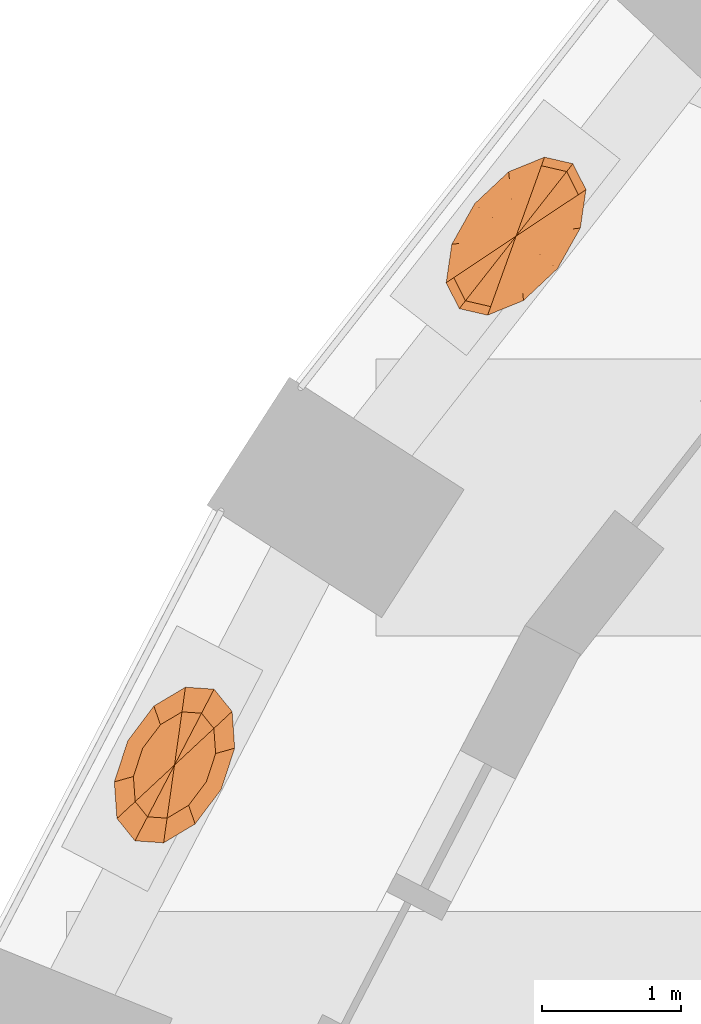
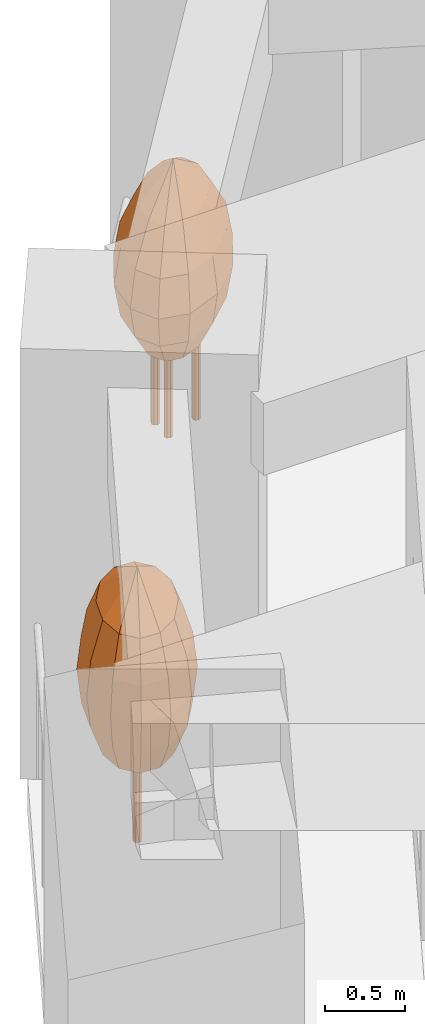
# One storey, part 13 of 13: 2 geographic elements.
"""IFC4 building model written with IfcOpenShell, lengths in metres."""

from ifc_helpers import new_model, si_unit, direction, frame, origin, place, context, subcontext, project, spatial, faceted_brep, material, constituent, constituent_set, type_object, element, save


model = new_model("IFC4")

# Units and contexts
model_context = context("Model", 3, precision=1e-05, world=origin(), true_north=direction((0.0, 1.0)))
body_context = subcontext(model_context, "Body", "Model", "MODEL_VIEW")
ifc_project = project(units=[si_unit("LENGTHUNIT", "METRE"), si_unit("AREAUNIT", "SQUARE_METRE"), si_unit("VOLUMEUNIT", "CUBIC_METRE"), si_unit("PLANEANGLEUNIT", "RADIAN"), si_unit("MASSUNIT", "GRAM", prefix="KILO")], contexts=[model_context])

# Site, building, storey
site_placement = place(None, origin())
site = spatial("IfcSite", under=ifc_project, at=site_placement, CompositionType="ELEMENT")
building_placement = place(site_placement, origin())
building = spatial("IfcBuilding", under=site, at=building_placement, Name="Taillehof Tower", CompositionType="ELEMENT")
storey_placement = place(building_placement, frame((0.0, 0.0, 74.5)))
storey = spatial("IfcBuildingStorey", under=building, at=storey_placement, Name="L20", CompositionType="ELEMENT", Elevation=74.5)

# Geographic elements
ifc_material_1 = material(Name="Tree bark", Category="timber")
ifc_constituent_1 = constituent(ifc_material_1, Name="Trunk", Category="timber")
ifc_material_2 = material(Name="Tree foliage")
ifc_constituent_2 = constituent(ifc_material_2, Name="Crown")
ifc_constituent_set_1 = constituent_set(constituents=[ifc_constituent_1, ifc_constituent_2], Name="Tree TR1 Columnar hornbeam")
geographic_element_type_1 = type_object("IfcGeographicElementType", Name="Tree TR1 Columnar hornbeam", PredefinedType="USERDEFINED", material=ifc_constituent_set_1)
geographic_element_1_placement = place(storey_placement, frame((-25.627685546875, 10.692626953125, 0.75)))
element("IfcGeographicElement", 1, at=geographic_element_1_placement, inside=storey, type_object=geographic_element_type_1, Name="Tree TR1 Columnar hornbeam", ObjectType="TREE", PredefinedType="USERDEFINED", context=body_context, shape_type="Brep", body=[
    faceted_brep([(0.030029296875, 0.0, 0.0), (0.021240234375, 0.021240234375, 0.0), (0.021240234375, 0.021240234375, 1.092529296875), (0.030029296875, 0.0, 1.092529296875), (0.0, 0.030029296875, 0.0), (0.0, 0.030029296875, 1.092529296875), (-0.021240234375, 0.021240234375, 0.0), (-0.021240234375, 0.021240234375, 1.092529296875), (-0.030029296875, 0.0, 0.0), (-0.030029296875, 0.0, 1.092529296875), (-0.021240234375, -0.021240234375, 0.0), (-0.021240234375, -0.021240234375, 1.092529296875), (0.0, -0.030029296875, 0.0), (0.0, -0.030029296875, 1.092529296875), (0.021240234375, -0.021240234375, 0.0), (0.021240234375, -0.021240234375, 1.092529296875)], [[[0, 1, 2, 3]], [[1, 4, 5, 2]], [[4, 6, 7, 5]], [[6, 8, 9, 7]], [[8, 10, 11, 9]], [[10, 12, 13, 11]], [[12, 14, 15, 13]], [[14, 0, 3, 15]], [[14, 12, 10, 8, 6, 4, 1, 0]], [[3, 2, 5, 7, 9, 11, 13, 15]]]),
    faceted_brep([(0.0, 0.0, 0.550048828125), (-0.053955078125, -0.3837890625, 0.808349609375), (-0.195068359375, -0.3740234375, 0.808349609375), (0.101806640625, -0.291015625, 0.808349609375), (0.230224609375, -0.1201171875, 0.808349609375), (0.296875, 0.0830078125, 0.808349609375), (0.283935546875, 0.263916015625, 0.808349609375), (0.195068359375, 0.3740234375, 0.808349609375), (0.053955078125, 0.3837890625, 0.808349609375), (-0.101806640625, 0.291015625, 0.808349609375), (-0.230224609375, 0.1201171875, 0.808349609375), (-0.296875, -0.0830078125, 0.808349609375), (-0.283935546875, -0.263916015625, 0.808349609375), (-0.07275390625, -0.519287109375, 1.066650390625), (-0.263916015625, -0.505859375, 1.066650390625), (0.1376953125, -0.3935546875, 1.066650390625), (0.311279296875, -0.162353515625, 1.066650390625), (0.401611328125, 0.1123046875, 1.066650390625), (0.38427734375, 0.35693359375, 1.066650390625), (0.263916015625, 0.505859375, 1.066650390625), (0.07275390625, 0.519287109375, 1.066650390625), (-0.1376953125, 0.3935546875, 1.066650390625), (-0.311279296875, 0.162353515625, 1.066650390625), (-0.401611328125, -0.1123046875, 1.066650390625), (-0.38427734375, -0.35693359375, 1.066650390625), (-0.078857421875, -0.56201171875, 1.324951171875), (-0.28564453125, -0.547607421875, 1.324951171875), (0.14892578125, -0.426025390625, 1.324951171875), (0.3369140625, -0.17578125, 1.324951171875), (0.4345703125, 0.12158203125, 1.324951171875), (0.415771484375, 0.38623046875, 1.324951171875), (0.28564453125, 0.547607421875, 1.324951171875), (0.078857421875, 0.56201171875, 1.324951171875), (-0.14892578125, 0.426025390625, 1.324951171875), (-0.3369140625, 0.17578125, 1.324951171875), (-0.4345703125, -0.12158203125, 1.324951171875), (-0.415771484375, -0.38623046875, 1.324951171875), (-0.07275390625, -0.519287109375, 1.583251953125), (-0.263916015625, -0.505859375, 1.583251953125), (0.1376953125, -0.3935546875, 1.583251953125), (0.311279296875, -0.162353515625, 1.583251953125), (0.401611328125, 0.1123046875, 1.583251953125), (0.38427734375, 0.35693359375, 1.583251953125), (0.263916015625, 0.505859375, 1.583251953125), (0.07275390625, 0.519287109375, 1.583251953125), (-0.1376953125, 0.3935546875, 1.583251953125), (-0.311279296875, 0.162353515625, 1.583251953125), (-0.401611328125, -0.1123046875, 1.583251953125), (-0.38427734375, -0.35693359375, 1.583251953125), (-0.053955078125, -0.3837890625, 1.841552734375), (-0.195068359375, -0.3740234375, 1.841552734375), (0.101806640625, -0.291015625, 1.841552734375), (0.230224609375, -0.1201171875, 1.841552734375), (0.296875, 0.0830078125, 1.841552734375), (0.283935546875, 0.263916015625, 1.841552734375), (0.195068359375, 0.3740234375, 1.841552734375), (0.053955078125, 0.3837890625, 1.841552734375), (-0.101806640625, 0.291015625, 1.841552734375), (-0.230224609375, 0.1201171875, 1.841552734375), (-0.296875, -0.0830078125, 1.841552734375), (-0.283935546875, -0.263916015625, 1.841552734375), (0.0, 0.0, 2.10009765625)], [[[0, 1, 2]], [[0, 3, 1]], [[0, 4, 3]], [[0, 5, 4]], [[0, 6, 5]], [[0, 7, 6]], [[0, 8, 7]], [[0, 9, 8]], [[0, 10, 9]], [[0, 11, 10]], [[0, 12, 11]], [[0, 2, 12]], [[2, 1, 13, 14]], [[1, 3, 15, 13]], [[3, 4, 16, 15]], [[4, 5, 17, 16]], [[5, 6, 18, 17]], [[6, 7, 19, 18]], [[7, 8, 20, 19]], [[8, 9, 21, 20]], [[9, 10, 22, 21]], [[10, 11, 23, 22]], [[11, 12, 24, 23]], [[12, 2, 14, 24]], [[14, 13, 25, 26]], [[13, 15, 27, 25]], [[15, 16, 28, 27]], [[16, 17, 29, 28]], [[17, 18, 30, 29]], [[18, 19, 31, 30]], [[19, 20, 32, 31]], [[20, 21, 33, 32]], [[21, 22, 34, 33]], [[22, 23, 35, 34]], [[23, 24, 36, 35]], [[24, 14, 26, 36]], [[26, 25, 37, 38]], [[25, 27, 39, 37]], [[27, 28, 40, 39]], [[28, 29, 41, 40]], [[29, 30, 42, 41]], [[30, 31, 43, 42]], [[31, 32, 44, 43]], [[32, 33, 45, 44]], [[33, 34, 46, 45]], [[34, 35, 47, 46]], [[35, 36, 48, 47]], [[36, 26, 38, 48]], [[38, 37, 49, 50]], [[37, 39, 51, 49]], [[39, 40, 52, 51]], [[40, 41, 53, 52]], [[41, 42, 54, 53]], [[42, 43, 55, 54]], [[43, 44, 56, 55]], [[44, 45, 57, 56]], [[45, 46, 58, 57]], [[46, 47, 59, 58]], [[47, 48, 60, 59]], [[48, 38, 50, 60]], [[50, 49, 61]], [[49, 51, 61]], [[51, 52, 61]], [[52, 53, 61]], [[53, 54, 61]], [[54, 55, 61]], [[55, 56, 61]], [[56, 57, 61]], [[57, 58, 61]], [[58, 59, 61]], [[59, 60, 61]], [[60, 50, 61]]]),
])
ifc_material_3 = material(Name="Tree bark", Category="timber")
ifc_constituent_3 = constituent(ifc_material_3, Name="Trunk", Category="timber")
ifc_material_4 = material(Name="Tree foliage")
ifc_constituent_4 = constituent(ifc_material_4, Name="Crown")
ifc_constituent_set_2 = constituent_set(constituents=[ifc_constituent_3, ifc_constituent_4], Name="Tree TR3 Multi-stem serviceberry")
geographic_element_type_2 = type_object("IfcGeographicElementType", Name="Tree TR3 Multi-stem serviceberry", PredefinedType="USERDEFINED", material=ifc_constituent_set_2)
geographic_element_2_placement = place(storey_placement, frame((-23.16162109375, 14.510986328125, 0.75)))
element("IfcGeographicElement", 2, at=geographic_element_2_placement, inside=storey, type_object=geographic_element_type_2, Name="Tree TR3 Multi-stem serviceberry", ObjectType="TREE", PredefinedType="USERDEFINED", context=body_context, shape_type="Brep", body=[
    faceted_brep([(0.195068359375, 0.0, 0.0), (0.186767578125, 0.0205078125, 0.0), (0.186767578125, 0.0205078125, 1.04248046875), (0.195068359375, 0.0, 1.04248046875), (0.166259765625, 0.02880859375, 0.0), (0.166259765625, 0.02880859375, 1.04248046875), (0.145751953125, 0.0205078125, 0.0), (0.145751953125, 0.0205078125, 1.04248046875), (0.137451171875, 0.0, 0.0), (0.137451171875, 0.0, 1.04248046875), (0.145751953125, -0.0205078125, 0.0), (0.145751953125, -0.0205078125, 1.04248046875), (0.166259765625, -0.02880859375, 0.0), (0.166259765625, -0.02880859375, 1.04248046875), (0.186767578125, -0.0205078125, 0.0), (0.186767578125, -0.0205078125, 1.04248046875)], [[[0, 1, 2, 3]], [[1, 4, 5, 2]], [[4, 6, 7, 5]], [[6, 8, 9, 7]], [[8, 10, 11, 9]], [[10, 12, 13, 11]], [[12, 14, 15, 13]], [[14, 0, 3, 15]], [[14, 12, 10, 8, 6, 4, 1, 0]], [[3, 2, 5, 7, 9, 11, 13, 15]]]),
    faceted_brep([(-0.05419921875, 0.082275390625, 0.0), (-0.062744140625, 0.102783203125, 0.0), (-0.062744140625, 0.102783203125, 1.04248046875), (-0.05419921875, 0.082275390625, 1.04248046875), (-0.0830078125, 0.111083984375, 0.0), (-0.0830078125, 0.111083984375, 1.04248046875), (-0.103515625, 0.102783203125, 0.0), (-0.103515625, 0.102783203125, 1.04248046875), (-0.112060546875, 0.082275390625, 0.0), (-0.112060546875, 0.082275390625, 1.04248046875), (-0.103515625, 0.061767578125, 0.0), (-0.103515625, 0.061767578125, 1.04248046875), (-0.0830078125, 0.053466796875, 0.0), (-0.0830078125, 0.053466796875, 1.04248046875), (-0.062744140625, 0.061767578125, 0.0), (-0.062744140625, 0.061767578125, 1.04248046875)], [[[0, 1, 2, 3]], [[1, 4, 5, 2]], [[4, 6, 7, 5]], [[6, 8, 9, 7]], [[8, 10, 11, 9]], [[10, 12, 13, 11]], [[12, 14, 15, 13]], [[14, 0, 3, 15]], [[14, 12, 10, 8, 6, 4, 1, 0]], [[3, 2, 5, 7, 9, 11, 13, 15]]]),
    faceted_brep([(-0.05419921875, -0.082275390625, 0.0), (-0.062744140625, -0.061767578125, 0.0), (-0.062744140625, -0.061767578125, 1.04248046875), (-0.05419921875, -0.082275390625, 1.04248046875), (-0.0830078125, -0.053466796875, 0.0), (-0.0830078125, -0.053466796875, 1.04248046875), (-0.103515625, -0.061767578125, 0.0), (-0.103515625, -0.061767578125, 1.04248046875), (-0.112060546875, -0.082275390625, 0.0), (-0.112060546875, -0.082275390625, 1.04248046875), (-0.103515625, -0.102783203125, 0.0), (-0.103515625, -0.102783203125, 1.04248046875), (-0.0830078125, -0.111083984375, 0.0), (-0.0830078125, -0.111083984375, 1.04248046875), (-0.062744140625, -0.102783203125, 0.0), (-0.062744140625, -0.102783203125, 1.04248046875)], [[[0, 1, 2, 3]], [[1, 4, 5, 2]], [[4, 6, 7, 5]], [[6, 8, 9, 7]], [[8, 10, 11, 9]], [[10, 12, 13, 11]], [[12, 14, 15, 13]], [[14, 0, 3, 15]], [[14, 12, 10, 8, 6, 4, 1, 0]], [[3, 2, 5, 7, 9, 11, 13, 15]]]),
    faceted_brep([(0.0, 0.0, 0.5), (-0.1181640625, -0.32763671875, 0.75830078125), (-0.235595703125, -0.30078125, 0.75830078125), (0.031005859375, -0.266845703125, 0.75830078125), (0.171875, -0.134521484375, 0.75830078125), (0.2666015625, 0.03369140625, 0.75830078125), (0.289794921875, 0.193115234375, 0.75830078125), (0.235595703125, 0.30078125, 0.75830078125), (0.1181640625, 0.32763671875, 0.75830078125), (-0.031005859375, 0.266845703125, 0.75830078125), (-0.171875, 0.134521484375, 0.75830078125), (-0.2666015625, -0.03369140625, 0.75830078125), (-0.289794921875, -0.193115234375, 0.75830078125), (-0.18310546875, -0.508544921875, 1.0166015625), (-0.365478515625, -0.466552734375, 1.0166015625), (0.048095703125, -0.4140625, 1.0166015625), (0.2666015625, -0.208740234375, 1.0166015625), (0.41357421875, 0.052490234375, 1.0166015625), (0.449951171875, 0.299560546875, 1.0166015625), (0.365478515625, 0.466552734375, 1.0166015625), (0.18310546875, 0.508544921875, 1.0166015625), (-0.048095703125, 0.4140625, 1.0166015625), (-0.2666015625, 0.208740234375, 1.0166015625), (-0.41357421875, -0.052490234375, 1.0166015625), (-0.449951171875, -0.299560546875, 1.0166015625), (-0.20556640625, -0.570556640625, 1.27490234375), (-0.41015625, -0.5234375, 1.27490234375), (0.053955078125, -0.464599609375, 1.27490234375), (0.299072265625, -0.234375, 1.27490234375), (0.464111328125, 0.058837890625, 1.27490234375), (0.504638671875, 0.336181640625, 1.27490234375), (0.41015625, 0.5234375, 1.27490234375), (0.20556640625, 0.570556640625, 1.27490234375), (-0.053955078125, 0.464599609375, 1.27490234375), (-0.299072265625, 0.234375, 1.27490234375), (-0.464111328125, -0.058837890625, 1.27490234375), (-0.504638671875, -0.336181640625, 1.27490234375), (-0.18310546875, -0.508544921875, 1.533447265625), (-0.365478515625, -0.466552734375, 1.533447265625), (0.048095703125, -0.4140625, 1.533447265625), (0.2666015625, -0.208740234375, 1.533447265625), (0.41357421875, 0.052490234375, 1.533447265625), (0.449951171875, 0.299560546875, 1.533447265625), (0.365478515625, 0.466552734375, 1.533447265625), (0.18310546875, 0.508544921875, 1.533447265625), (-0.048095703125, 0.4140625, 1.533447265625), (-0.2666015625, 0.208740234375, 1.533447265625), (-0.41357421875, -0.052490234375, 1.533447265625), (-0.449951171875, -0.299560546875, 1.533447265625), (-0.1181640625, -0.32763671875, 1.791748046875), (-0.235595703125, -0.30078125, 1.791748046875), (0.031005859375, -0.266845703125, 1.791748046875), (0.171875, -0.134521484375, 1.791748046875), (0.2666015625, 0.03369140625, 1.791748046875), (0.289794921875, 0.193115234375, 1.791748046875), (0.235595703125, 0.30078125, 1.791748046875), (0.1181640625, 0.32763671875, 1.791748046875), (-0.031005859375, 0.266845703125, 1.791748046875), (-0.171875, 0.134521484375, 1.791748046875), (-0.2666015625, -0.03369140625, 1.791748046875), (-0.289794921875, -0.193115234375, 1.791748046875), (0.0, 0.0, 2.050048828125)], [[[0, 1, 2]], [[0, 3, 1]], [[0, 4, 3]], [[0, 5, 4]], [[0, 6, 5]], [[0, 7, 6]], [[0, 8, 7]], [[0, 9, 8]], [[0, 10, 9]], [[0, 11, 10]], [[0, 12, 11]], [[0, 2, 12]], [[2, 1, 13, 14]], [[1, 3, 15, 13]], [[3, 4, 16, 15]], [[4, 5, 17, 16]], [[5, 6, 18, 17]], [[6, 7, 19, 18]], [[7, 8, 20, 19]], [[8, 9, 21, 20]], [[9, 10, 22, 21]], [[10, 11, 23, 22]], [[11, 12, 24, 23]], [[12, 2, 14, 24]], [[14, 13, 25, 26]], [[13, 15, 27, 25]], [[15, 16, 28, 27]], [[16, 17, 29, 28]], [[17, 18, 30, 29]], [[18, 19, 31, 30]], [[19, 20, 32, 31]], [[20, 21, 33, 32]], [[21, 22, 34, 33]], [[22, 23, 35, 34]], [[23, 24, 36, 35]], [[24, 14, 26, 36]], [[26, 25, 37, 38]], [[25, 27, 39, 37]], [[27, 28, 40, 39]], [[28, 29, 41, 40]], [[29, 30, 42, 41]], [[30, 31, 43, 42]], [[31, 32, 44, 43]], [[32, 33, 45, 44]], [[33, 34, 46, 45]], [[34, 35, 47, 46]], [[35, 36, 48, 47]], [[36, 26, 38, 48]], [[38, 37, 49, 50]], [[37, 39, 51, 49]], [[39, 40, 52, 51]], [[40, 41, 53, 52]], [[41, 42, 54, 53]], [[42, 43, 55, 54]], [[43, 44, 56, 55]], [[44, 45, 57, 56]], [[45, 46, 58, 57]], [[46, 47, 59, 58]], [[47, 48, 60, 59]], [[48, 38, 50, 60]], [[50, 49, 61]], [[49, 51, 61]], [[51, 52, 61]], [[52, 53, 61]], [[53, 54, 61]], [[54, 55, 61]], [[55, 56, 61]], [[56, 57, 61]], [[57, 58, 61]], [[58, 59, 61]], [[59, 60, 61]], [[60, 50, 61]]]),
])

save(model, "model.ifc")
